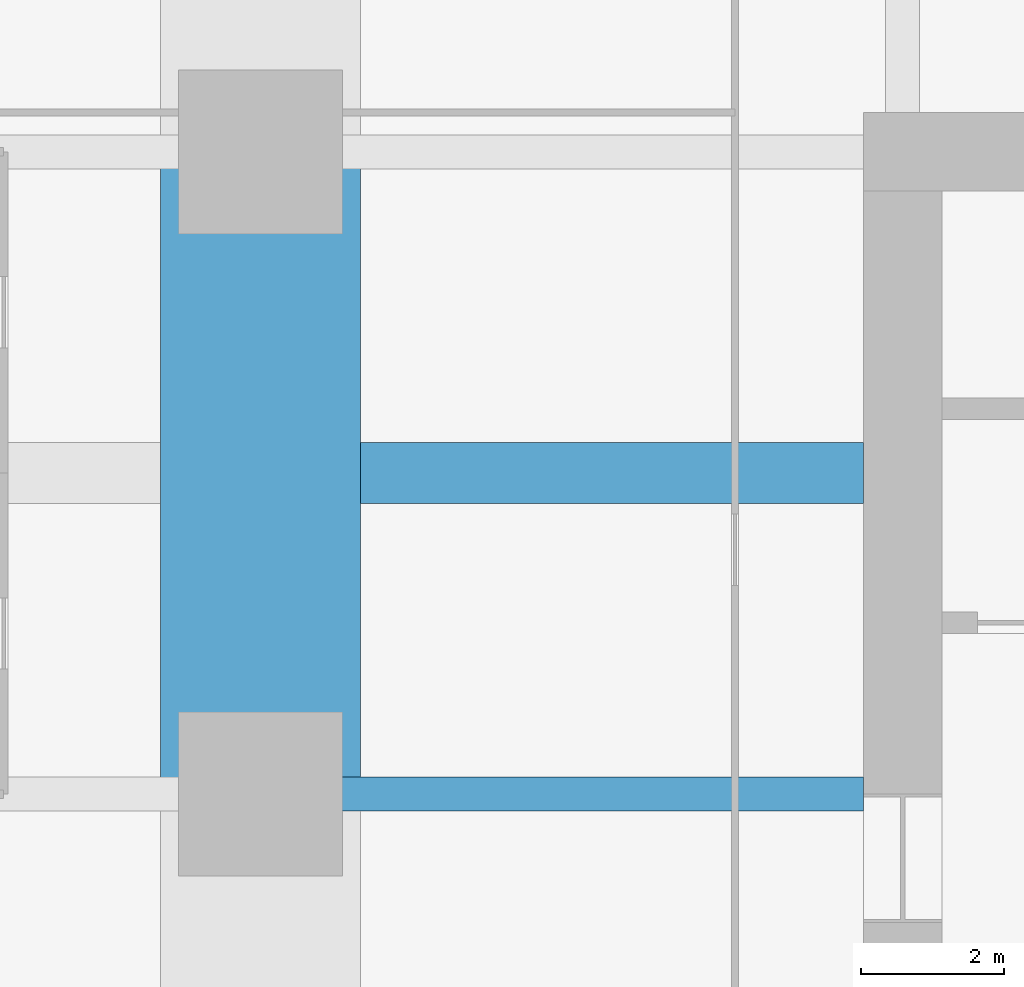
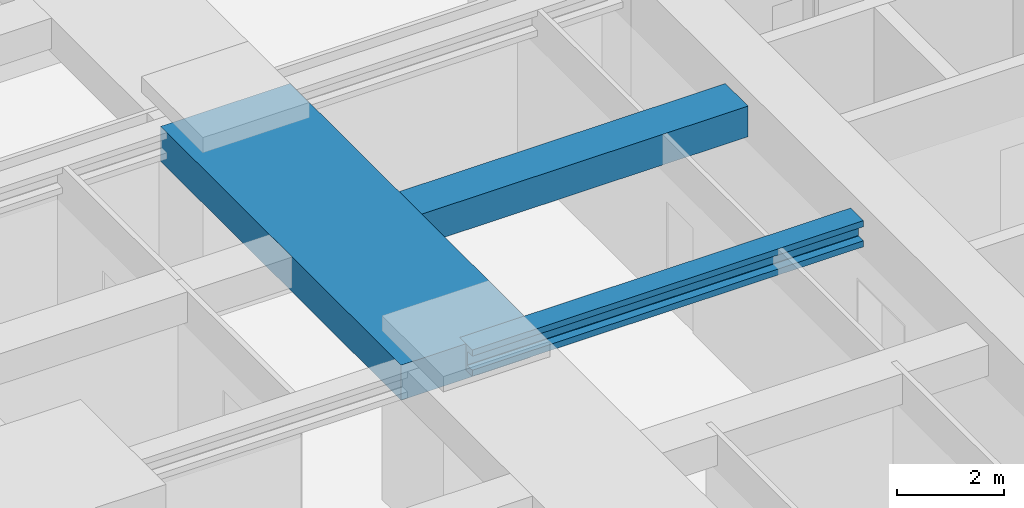
# One storey, part 11 of 42: 3 beams.
"""IFC4 building model written with IfcOpenShell, lengths in metres."""

from ifc_helpers import new_model, si_unit, direction, frame, origin, origin_2d, place, context, subcontext, project, spatial, rectangle, i_section, extrude, material, material_profile, profile_set, type_object, element, save


model = new_model("IFC4")

# Units and contexts
model_context = context("Model", 3, precision=1e-05, world=origin(), true_north=direction((0.0, 1.0)))
body_context = subcontext(model_context, "Body", "Model", "MODEL_VIEW")
ifc_project = project(units=[si_unit("LENGTHUNIT", "METRE"), si_unit("AREAUNIT", "SQUARE_METRE"), si_unit("VOLUMEUNIT", "CUBIC_METRE"), si_unit("PLANEANGLEUNIT", "RADIAN"), si_unit("MASSUNIT", "GRAM", prefix="KILO")], contexts=[model_context])

# Site, building, storey
site_placement = place(None, origin())
site = spatial("IfcSite", under=ifc_project, at=site_placement, CompositionType="ELEMENT")
building_placement = place(site_placement, origin())
building = spatial("IfcBuilding", under=site, at=building_placement, Name="Zorevar Civic Tower", CompositionType="ELEMENT")
storey_placement = place(building_placement, frame((0.0, 0.0, 75.800048828125)))
storey = spatial("IfcBuildingStorey", under=building, at=storey_placement, Name="L18", CompositionType="ELEMENT", Elevation=75.800048828125)

# Beams
ifc_material_1 = material(Name="Concrete C50/60", Category="concrete")
ifc_material_profile_1 = material_profile(ifc_material_1, rectangle(XDim=2.800048828125, YDim=0.800048828125, at=origin_2d()), Name="RC 2800x800")
ifc_profile_set_1 = profile_set([ifc_material_profile_1], Name="Concrete C50/60")
beam_type_1 = type_object("IfcBeamType", Name="Beam RC 2800x800", PredefinedType="BEAM", material=ifc_profile_set_1)
beam_1_placement = place(storey_placement, frame((9.0, 27.0, 3.449951171875), z_axis=(0.0, 1.0, 0.0), x_axis=(-1.0, 0.0, 0.0)))
element("IfcBeam", 1, at=beam_1_placement, inside=storey, type_object=beam_type_1, Name="Girder L19", PredefinedType="BEAM", context=body_context, shape_type="SweptSolid", body=[
    extrude(rectangle(XDim=2.800048828125, YDim=0.800048828125, at=origin_2d()), origin(), (0.0, 0.0, 1.0), 9.0),
])
ifc_material_2 = material(Name="Concrete C50/60", Category="concrete")
ifc_material_profile_2 = material_profile(ifc_material_2, rectangle(XDim=0.85009765625, YDim=0.699951171875, at=origin_2d()), Name="RC 850x700")
ifc_profile_set_2 = profile_set([ifc_material_profile_2], Name="Concrete C50/60")
beam_type_2 = type_object("IfcBeamType", Name="Beam RC 850x700", PredefinedType="BEAM", material=ifc_profile_set_2)
beam_2_placement = place(storey_placement, frame((10.39990234375, 31.5, 3.5), z_axis=(1.0, 0.0, 0.0), x_axis=(0.0, 1.0, 0.0)))
element("IfcBeam", 2, at=beam_2_placement, inside=storey, type_object=beam_type_2, Name="Secondary beam L19", PredefinedType="BEAM", context=body_context, shape_type="SweptSolid", body=[
    extrude(rectangle(XDim=0.85009765625, YDim=0.699951171875, at=origin_2d()), origin(), (0.0, 0.0, 1.0), 7.050048828125),
])
ifc_material_3 = material(Name="Steel S460M (HISTAR 460)", Category="steel")
ifc_material_profile_3 = material_profile(ifc_material_3, i_section(OverallWidth=0.47607421875, OverallDepth=0.60009765625, WebThickness=0.10009765625, FlangeThickness=0.139892578125, FilletRadius=0.014892578125, at=origin_2d()), Name="HD 400x1299")
ifc_profile_set_3 = profile_set([ifc_material_profile_3], Name="Steel S460M (HISTAR 460)")
beam_type_3 = type_object("IfcBeamType", Name="Outrigger chord HD 400x1299", PredefinedType="BEAM", material=ifc_profile_set_3)
beam_3_placement = place(storey_placement, frame((9.0, 27.0, 3.550048828125), z_axis=(1.0, 0.0, 0.0), x_axis=(0.0, 1.0, 0.0)))
element("IfcBeam", 3, at=beam_3_placement, inside=storey, type_object=beam_type_3, Name="Outrigger chord L19", PredefinedType="BEAM", context=body_context, shape_type="SweptSolid", body=[
    extrude(i_section(OverallWidth=0.47607421875, OverallDepth=0.60009765625, WebThickness=0.10009765625, FlangeThickness=0.139892578125, FilletRadius=0.014892578125, at=origin_2d()), origin(), (0.0, 0.0, 1.0), 8.449951171875),
])

save(model, "model.ifc")
